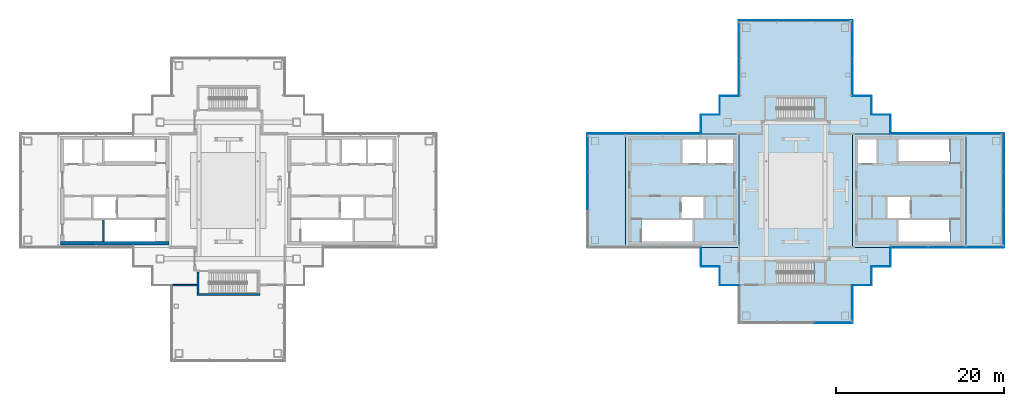
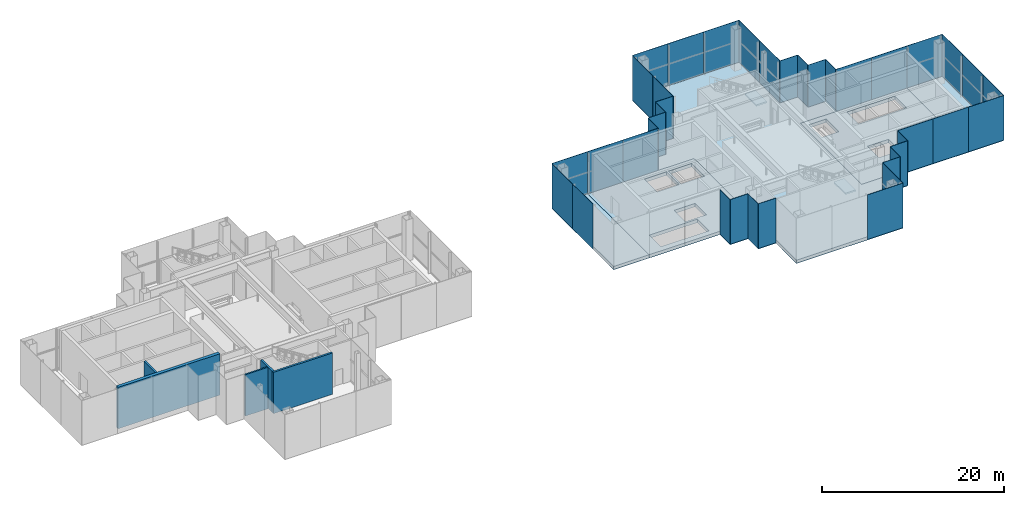
# One storey, part 8 of 17: 39 plates, 7 slabs, 5 walls, 19 elements without a shape of their own.
"""IFC4 building model written with IfcOpenShell, lengths in metres."""

from ifc_helpers import new_model, si_unit, direction, frame, frame_2d, origin, origin_2d, place, context, subcontext, project, spatial, polyline, rectangle, outline, extrude, material, layer, layer_set, type_object, element, aggregate, save


model = new_model("IFC4")

# Units and contexts
model_context = context("Model", 3, precision=1e-05, world=origin(), true_north=direction((0.0, 1.0)))
body_context = subcontext(model_context, "Body", "Model", "MODEL_VIEW")
ifc_project = project(units=[si_unit("LENGTHUNIT", "METRE"), si_unit("AREAUNIT", "SQUARE_METRE"), si_unit("VOLUMEUNIT", "CUBIC_METRE"), si_unit("PLANEANGLEUNIT", "RADIAN"), si_unit("MASSUNIT", "GRAM", prefix="KILO")], contexts=[model_context])

# Site, building, storey
site_placement = place(None, origin())
site = spatial("IfcSite", under=ifc_project, at=site_placement, CompositionType="ELEMENT")
building_placement = place(site_placement, origin())
building = spatial("IfcBuilding", under=site, at=building_placement, Name="Shamsa Quay Exchange Towers", CompositionType="ELEMENT")
storey_placement = place(building_placement, frame((0.0, 0.0, 278.300048828125)))
storey = spatial("IfcBuildingStorey", under=building, at=storey_placement, Name="L67", CompositionType="ELEMENT", Elevation=278.300048828125)

# Slabs
ifc_material_1 = material(Name="Concrete C50/60", Category="concrete")
ifc_layer_1 = layer(ifc_material_1, 0.449951171875)
ifc_layer_set_1 = layer_set([ifc_layer_1], Name="CORE FLOOR 450 C50/60")
slab_type_1 = type_object("IfcSlabType", Name="CORE FLOOR 450 C50/60", PredefinedType="FLOOR", material=ifc_layer_set_1)
slab_1_placement = place(storey_placement, frame((0.0, 0.0, -0.449951171875)))
element("IfcSlab", 1, at=slab_1_placement, inside=storey, type_object=slab_type_1, Name="Core floor T2A", PredefinedType="FLOOR", context=body_context, shape_type="SweptSolid", body=[
    extrude(outline(polyline([(13.5, -6.75), (27.0, -6.75), (27.0, 6.75), (13.5, 6.75), (13.5, -6.75)]), holes=[polyline([(15.400634765625, -6.050048828125), (15.400634765625, -3.5), (21.5, -3.5), (21.5, -6.050048828125), (15.400634765625, -6.050048828125)]), polyline([(20.300048828125, 3.25), (20.300048828125, 6.050048828125), (23.10009765625, 6.050048828125), (23.10009765625, 3.25), (20.300048828125, 3.25)]), polyline([(23.35009765625, 3.25), (23.35009765625, 6.050048828125), (26.300048828125, 6.050048828125), (26.300048828125, 3.25), (23.35009765625, 3.25)]), polyline([(20.14990234375, -3.25), (20.14990234375, -0.75), (22.800048828125, -0.75), (22.800048828125, -3.25), (20.14990234375, -3.25)])]), origin(), (0.0, 0.0, 1.0), 0.449951171875),
])
slab_2_placement = place(storey_placement, frame((0.0, 0.0, -0.449951171875)))
element("IfcSlab", 2, at=slab_2_placement, inside=storey, type_object=slab_type_1, Name="Core floor T2B", PredefinedType="FLOOR", context=body_context, shape_type="SweptSolid", body=[
    extrude(outline(polyline([(54.0, -6.75), (54.0, 6.75), (40.5, 6.75), (40.5, -6.75), (54.0, -6.75)]), holes=[polyline([(52.099365234375, -3.5), (52.099365234375, -6.050048828125), (46.0, -6.050048828125), (46.0, -3.5), (52.099365234375, -3.5)]), polyline([(52.099365234375, 6.050048828125), (52.099365234375, 3.5), (46.0, 3.5), (46.0, 6.050048828125), (52.099365234375, 6.050048828125)]), polyline([(43.35009765625, 3.25), (41.199951171875, 3.25), (41.199951171875, 6.050048828125), (43.35009765625, 6.050048828125), (43.35009765625, 3.25)]), polyline([(47.35009765625, -3.25), (44.699951171875, -3.25), (44.699951171875, -0.75), (47.35009765625, -0.75), (47.35009765625, -3.25)])]), origin(), (0.0, 0.0, 1.0), 0.449951171875),
])

# Stair, slab
ifc_material_2 = material(Name="Concrete C40/50", Category="concrete")
stair_type = type_object("IfcStairType", Name="EXIT STAIR 34 RISERS 176 MM", PredefinedType="HALF_TURN_STAIR", material=ifc_material_2)
stair_1_placement = place(storey_placement, origin())
stair_1 = element("IfcStair", 3, at=stair_1_placement, inside=storey, type_object=stair_type, Name="L67 Roof access stair RS3", PredefinedType="HALF_TURN_STAIR")
ifc_layer_2 = layer(ifc_material_2, 0.199951171875)
ifc_layer_set_2 = layer_set([ifc_layer_2], Name="CORE STAIR LANDING")
slab_type_2 = type_object("IfcSlabType", Name="CORE STAIR LANDING", PredefinedType="LANDING", material=ifc_layer_set_2)
slab_3_placement = place(storey_placement, frame((0.0, 0.0, 2.800048828125)))
slab_3 = element("IfcSlab", 4, at=slab_3_placement, type_object=slab_type_2, Name="RS3 landing 1", PredefinedType="LANDING", context=body_context, shape_type="SweptSolid", body=[
    extrude(outline(polyline([(35.929931640625, 8.5), (37.25, 8.5), (37.25, 11.050048828125), (35.929931640625, 11.050048828125), (35.929931640625, 8.5)])), origin(), (0.0, 0.0, 1.0), 0.199951171875),
])
aggregate(stair_1, [slab_3])

stair_2_placement = place(storey_placement, origin())
stair_2 = element("IfcStair", 5, at=stair_2_placement, inside=storey, type_object=stair_type, Name="L67 Roof access stair RS4", PredefinedType="HALF_TURN_STAIR")
slab_4_placement = place(storey_placement, frame((0.0, 0.0, 2.800048828125)))
slab_4 = element("IfcSlab", 6, at=slab_4_placement, type_object=slab_type_2, Name="RS4 landing 1", PredefinedType="LANDING", context=body_context, shape_type="SweptSolid", body=[
    extrude(outline(polyline([(35.929931640625, -11.050048828125), (37.25, -11.050048828125), (37.25, -8.5), (35.929931640625, -8.5), (35.929931640625, -11.050048828125)])), origin(), (0.0, 0.0, 1.0), 0.199951171875),
])
aggregate(stair_2, [slab_4])

# Curtain wall, plates
ifc_material_3 = material(Name="Aluminium EN AW-6063 T6, black anodised", Category="aluminium")
ifc_layer_3 = layer(ifc_material_3, 0.364013671875)
ifc_layer_set_3 = layer_set([ifc_layer_3], Name="CW-5 LANTERN GLAZING")
curtain_wall_type = type_object("IfcCurtainWallType", Name="CW-5 LANTERN GLAZING", PredefinedType="NOTDEFINED", material=ifc_layer_set_3)
curtain_wall_1_placement = place(storey_placement, origin())
curtain_wall_1 = element("IfcCurtainWall", 7, at=curtain_wall_1_placement, inside=storey, type_object=curtain_wall_type, Name="CW5 T2-FLK-V-W L67", PredefinedType="NOTDEFINED")
ifc_material_4 = material(Name="Glass, laminated, clear low iron", Category="glass")
ifc_layer_4 = layer(ifc_material_4, 0.0439453125)
ifc_layer_set_4 = layer_set([ifc_layer_4], Name="CW-5 LANTERN GLASS 44")
plate_type = type_object("IfcPlateType", Name="CW-5 LANTERN GLASS 44", PredefinedType="CURTAIN_PANEL", material=ifc_layer_set_4)
plate_1_placement = place(storey_placement, frame((47.281982421875, -6.77197265625, -0.35009765625)))
plate_1 = element("IfcPlate", 8, at=plate_1_placement, type_object=plate_type, Name="CW5 glass panel", PredefinedType="CURTAIN_PANEL", context=body_context, shape_type="SweptSolid", body=[
    extrude(rectangle(XDim=4.471923828125, YDim=0.0439453125, at=origin_2d()), origin(), (0.0, 0.0, 1.0), 6.0),
])
plate_2_placement = place(storey_placement, frame((51.763916015625, -6.77197265625, -0.35009765625)))
plate_2 = element("IfcPlate", 9, at=plate_2_placement, type_object=plate_type, Name="CW5 glass panel", PredefinedType="CURTAIN_PANEL", context=body_context, shape_type="SweptSolid", body=[
    extrude(rectangle(XDim=4.471923828125, YDim=0.0439453125, at=origin_2d()), origin(), (0.0, 0.0, 1.0), 6.0),
])
aggregate(curtain_wall_1, [plate_1, plate_2])

# Curtain wall, plate
curtain_wall_2_placement = place(storey_placement, origin())
curtain_wall_2 = element("IfcCurtainWall", 10, at=curtain_wall_2_placement, inside=storey, type_object=curtain_wall_type, Name="CW5 T2-FLK-V-W L67", PredefinedType="NOTDEFINED")
plate_3_placement = place(storey_placement, frame((56.25, -6.77197265625, -0.35009765625)))
plate_3 = element("IfcPlate", 11, at=plate_3_placement, type_object=plate_type, Name="CW5 glass panel", PredefinedType="CURTAIN_PANEL", context=body_context, shape_type="SweptSolid", body=[
    extrude(rectangle(XDim=4.5, YDim=0.0439453125, at=origin_2d()), origin(), (0.0, 0.0, 1.0), 6.0),
])
aggregate(curtain_wall_2, [plate_3])

# Curtain wall, plates
curtain_wall_3_placement = place(storey_placement, origin())
curtain_wall_3 = element("IfcCurtainWall", 12, at=curtain_wall_3_placement, inside=storey, type_object=curtain_wall_type, Name="CW5 T2-END-V- L67", PredefinedType="NOTDEFINED")
plate_4_placement = place(storey_placement, frame((58.52197265625, -4.50244140625, -0.35009765625), z_axis=(0.0, 0.0, 1.0), x_axis=(0.0, 1.0, 0.0)))
plate_4 = element("IfcPlate", 13, at=plate_4_placement, type_object=plate_type, Name="CW5 glass panel", PredefinedType="CURTAIN_PANEL", context=body_context, shape_type="SweptSolid", body=[
    extrude(rectangle(XDim=4.4951171875, YDim=0.0439453125, at=origin_2d()), origin(), (0.0, 0.0, 1.0), 6.0),
])
plate_5_placement = place(storey_placement, frame((58.52197265625, 0.0, -0.35009765625), z_axis=(0.0, 0.0, 1.0), x_axis=(0.0, 1.0, 0.0)))
plate_5 = element("IfcPlate", 14, at=plate_5_placement, type_object=plate_type, Name="CW5 glass panel", PredefinedType="CURTAIN_PANEL", context=body_context, shape_type="SweptSolid", body=[
    extrude(rectangle(XDim=4.489990234375, YDim=0.0439453125, at=origin_2d()), origin(), (0.0, 0.0, 1.0), 6.0),
])
plate_6_placement = place(storey_placement, frame((58.52197265625, 4.50244140625, -0.35009765625), z_axis=(0.0, 0.0, 1.0), x_axis=(0.0, 1.0, 0.0)))
plate_6 = element("IfcPlate", 15, at=plate_6_placement, type_object=plate_type, Name="CW5 glass panel", PredefinedType="CURTAIN_PANEL", context=body_context, shape_type="SweptSolid", body=[
    extrude(rectangle(XDim=4.4951171875, YDim=0.0439453125, at=origin_2d()), origin(), (0.0, 0.0, 1.0), 6.0),
])
aggregate(curtain_wall_3, [plate_4, plate_5, plate_6])

# Curtain wall, plate
curtain_wall_4_placement = place(storey_placement, origin())
curtain_wall_4 = element("IfcCurtainWall", 16, at=curtain_wall_4_placement, inside=storey, type_object=curtain_wall_type, Name="CW5 T2-FLK-V-E L67", PredefinedType="NOTDEFINED")
plate_7_placement = place(storey_placement, frame((56.25, 6.77197265625, -0.35009765625), z_axis=(0.0, 0.0, 1.0), x_axis=(-1.0, 0.0, 0.0)))
plate_7 = element("IfcPlate", 17, at=plate_7_placement, type_object=plate_type, Name="CW5 glass panel", PredefinedType="CURTAIN_PANEL", context=body_context, shape_type="SweptSolid", body=[
    extrude(rectangle(XDim=4.5, YDim=0.0439453125, at=origin_2d()), origin(), (0.0, 0.0, 1.0), 6.0),
])
aggregate(curtain_wall_4, [plate_7])

# Curtain wall, plates
curtain_wall_5_placement = place(storey_placement, origin())
curtain_wall_5 = element("IfcCurtainWall", 18, at=curtain_wall_5_placement, inside=storey, type_object=curtain_wall_type, Name="CW5 T2-FLK-V-E L67", PredefinedType="NOTDEFINED")
plate_8_placement = place(storey_placement, frame((51.75244140625, 6.77197265625, -0.35009765625), z_axis=(0.0, 0.0, 1.0), x_axis=(-1.0, 0.0, 0.0)))
plate_8 = element("IfcPlate", 19, at=plate_8_placement, type_object=plate_type, Name="CW5 glass panel", PredefinedType="CURTAIN_PANEL", context=body_context, shape_type="SweptSolid", body=[
    extrude(rectangle(XDim=4.4951171875, YDim=0.0439453125, at=origin_2d()), origin(), (0.0, 0.0, 1.0), 6.0),
])
plate_9_placement = place(storey_placement, frame((47.24755859375, 6.77197265625, -0.35009765625), z_axis=(0.0, 0.0, 1.0), x_axis=(-1.0, 0.0, 0.0)))
plate_9 = element("IfcPlate", 20, at=plate_9_placement, type_object=plate_type, Name="CW5 glass panel", PredefinedType="CURTAIN_PANEL", context=body_context, shape_type="SweptSolid", body=[
    extrude(rectangle(XDim=4.4951171875, YDim=0.0439453125, at=origin_2d()), origin(), (0.0, 0.0, 1.0), 6.0),
])
aggregate(curtain_wall_5, [plate_8, plate_9])

curtain_wall_6_placement = place(storey_placement, origin())
curtain_wall_6 = element("IfcCurtainWall", 21, at=curtain_wall_6_placement, inside=storey, type_object=curtain_wall_type, Name="CW5 T2-FLK-U+S L67", PredefinedType="NOTDEFINED")
plate_10_placement = place(storey_placement, frame((40.52197265625, 13.531982421875, -0.35009765625), z_axis=(0.0, 0.0, 1.0), x_axis=(0.0, 1.0, 0.0)))
plate_10 = element("IfcPlate", 22, at=plate_10_placement, type_object=plate_type, Name="CW5 glass panel", PredefinedType="CURTAIN_PANEL", context=body_context, shape_type="SweptSolid", body=[
    extrude(rectangle(XDim=4.471923828125, YDim=0.0439453125, at=origin_2d()), origin(), (0.0, 0.0, 1.0), 6.0),
])
plate_11_placement = place(storey_placement, frame((40.52197265625, 18.013916015625, -0.35009765625), z_axis=(0.0, 0.0, 1.0), x_axis=(0.0, 1.0, 0.0)))
plate_11 = element("IfcPlate", 23, at=plate_11_placement, type_object=plate_type, Name="CW5 glass panel", PredefinedType="CURTAIN_PANEL", context=body_context, shape_type="SweptSolid", body=[
    extrude(rectangle(XDim=4.471923828125, YDim=0.0439453125, at=origin_2d()), origin(), (0.0, 0.0, 1.0), 6.0),
])
aggregate(curtain_wall_6, [plate_10, plate_11])

curtain_wall_7_placement = place(storey_placement, origin())
curtain_wall_7 = element("IfcCurtainWall", 24, at=curtain_wall_7_placement, inside=storey, type_object=curtain_wall_type, Name="CW5 T2-END-U+ L67", PredefinedType="NOTDEFINED")
plate_12_placement = place(storey_placement, frame((38.25244140625, 20.27197265625, -0.35009765625), z_axis=(0.0, 0.0, 1.0), x_axis=(-1.0, 0.0, 0.0)))
plate_12 = element("IfcPlate", 25, at=plate_12_placement, type_object=plate_type, Name="CW5 glass panel", PredefinedType="CURTAIN_PANEL", context=body_context, shape_type="SweptSolid", body=[
    extrude(rectangle(XDim=4.4951171875, YDim=0.0439453125, at=origin_2d()), origin(), (0.0, 0.0, 1.0), 6.0),
])
plate_13_placement = place(storey_placement, frame((33.75, 20.27197265625, -0.35009765625), z_axis=(0.0, 0.0, 1.0), x_axis=(-1.0, 0.0, 0.0)))
plate_13 = element("IfcPlate", 26, at=plate_13_placement, type_object=plate_type, Name="CW5 glass panel", PredefinedType="CURTAIN_PANEL", context=body_context, shape_type="SweptSolid", body=[
    extrude(rectangle(XDim=4.489990234375, YDim=0.0439453125, at=origin_2d()), origin(), (0.0, 0.0, 1.0), 6.0),
])
plate_14_placement = place(storey_placement, frame((29.24755859375, 20.27197265625, -0.35009765625), z_axis=(0.0, 0.0, 1.0), x_axis=(-1.0, 0.0, 0.0)))
plate_14 = element("IfcPlate", 27, at=plate_14_placement, type_object=plate_type, Name="CW5 glass panel", PredefinedType="CURTAIN_PANEL", context=body_context, shape_type="SweptSolid", body=[
    extrude(rectangle(XDim=4.4951171875, YDim=0.0439453125, at=origin_2d()), origin(), (0.0, 0.0, 1.0), 6.0),
])
aggregate(curtain_wall_7, [plate_12, plate_13, plate_14])

curtain_wall_8_placement = place(storey_placement, origin())
curtain_wall_8 = element("IfcCurtainWall", 28, at=curtain_wall_8_placement, inside=storey, type_object=curtain_wall_type, Name="CW5 T2-FLK-U+N L67", PredefinedType="NOTDEFINED")
plate_15_placement = place(storey_placement, frame((26.97802734375, 18.00244140625, -0.35009765625), z_axis=(0.0, 0.0, 1.0), x_axis=(0.0, -1.0, 0.0)))
plate_15 = element("IfcPlate", 29, at=plate_15_placement, type_object=plate_type, Name="CW5 glass panel", PredefinedType="CURTAIN_PANEL", context=body_context, shape_type="SweptSolid", body=[
    extrude(rectangle(XDim=4.4951171875, YDim=0.0439453125, at=origin_2d()), origin(), (0.0, 0.0, 1.0), 6.0),
])
plate_16_placement = place(storey_placement, frame((26.97802734375, 13.49755859375, -0.35009765625), z_axis=(0.0, 0.0, 1.0), x_axis=(0.0, -1.0, 0.0)))
plate_16 = element("IfcPlate", 30, at=plate_16_placement, type_object=plate_type, Name="CW5 glass panel", PredefinedType="CURTAIN_PANEL", context=body_context, shape_type="SweptSolid", body=[
    extrude(rectangle(XDim=4.4951171875, YDim=0.0439453125, at=origin_2d()), origin(), (0.0, 0.0, 1.0), 6.0),
])
aggregate(curtain_wall_8, [plate_15, plate_16])

curtain_wall_9_placement = place(storey_placement, origin())
curtain_wall_9 = element("IfcCurtainWall", 31, at=curtain_wall_9_placement, inside=storey, type_object=curtain_wall_type, Name="CW5 T2-FLK-V+E L67", PredefinedType="NOTDEFINED")
plate_17_placement = place(storey_placement, frame((20.218017578125, 6.77197265625, -0.35009765625), z_axis=(0.0, 0.0, 1.0), x_axis=(-1.0, 0.0, 0.0)))
plate_17 = element("IfcPlate", 32, at=plate_17_placement, type_object=plate_type, Name="CW5 glass panel", PredefinedType="CURTAIN_PANEL", context=body_context, shape_type="SweptSolid", body=[
    extrude(rectangle(XDim=4.471923828125, YDim=0.0439453125, at=origin_2d()), origin(), (0.0, 0.0, 1.0), 6.0),
])
plate_18_placement = place(storey_placement, frame((15.736083984375, 6.77197265625, -0.35009765625), z_axis=(0.0, 0.0, 1.0), x_axis=(-1.0, 0.0, 0.0)))
plate_18 = element("IfcPlate", 33, at=plate_18_placement, type_object=plate_type, Name="CW5 glass panel", PredefinedType="CURTAIN_PANEL", context=body_context, shape_type="SweptSolid", body=[
    extrude(rectangle(XDim=4.471923828125, YDim=0.0439453125, at=origin_2d()), origin(), (0.0, 0.0, 1.0), 6.0),
])
aggregate(curtain_wall_9, [plate_17, plate_18])

# Curtain wall, plate
curtain_wall_10_placement = place(storey_placement, origin())
curtain_wall_10 = element("IfcCurtainWall", 34, at=curtain_wall_10_placement, inside=storey, type_object=curtain_wall_type, Name="CW5 T2-FLK-V+E L67", PredefinedType="NOTDEFINED")
plate_19_placement = place(storey_placement, frame((11.25, 6.77197265625, -0.35009765625), z_axis=(0.0, 0.0, 1.0), x_axis=(-1.0, 0.0, 0.0)))
plate_19 = element("IfcPlate", 35, at=plate_19_placement, type_object=plate_type, Name="CW5 glass panel", PredefinedType="CURTAIN_PANEL", context=body_context, shape_type="SweptSolid", body=[
    extrude(rectangle(XDim=4.5, YDim=0.0439453125, at=origin_2d()), origin(), (0.0, 0.0, 1.0), 6.0),
])
aggregate(curtain_wall_10, [plate_19])

# Curtain wall, plates
curtain_wall_11_placement = place(storey_placement, origin())
curtain_wall_11 = element("IfcCurtainWall", 36, at=curtain_wall_11_placement, inside=storey, type_object=curtain_wall_type, Name="CW5 T2-END-V+ L67", PredefinedType="NOTDEFINED")
plate_20_placement = place(storey_placement, frame((8.97802734375, 4.50244140625, -0.35009765625), z_axis=(0.0, 0.0, 1.0), x_axis=(0.0, -1.0, 0.0)))
plate_20 = element("IfcPlate", 37, at=plate_20_placement, type_object=plate_type, Name="CW5 glass panel", PredefinedType="CURTAIN_PANEL", context=body_context, shape_type="SweptSolid", body=[
    extrude(rectangle(XDim=4.4951171875, YDim=0.0439453125, at=origin_2d()), origin(), (0.0, 0.0, 1.0), 6.0),
])
plate_21_placement = place(storey_placement, frame((8.97802734375, 0.0, -0.35009765625), z_axis=(0.0, 0.0, 1.0), x_axis=(0.0, -1.0, 0.0)))
plate_21 = element("IfcPlate", 38, at=plate_21_placement, type_object=plate_type, Name="CW5 glass panel", PredefinedType="CURTAIN_PANEL", context=body_context, shape_type="SweptSolid", body=[
    extrude(rectangle(XDim=4.489990234375, YDim=0.0439453125, at=origin_2d()), origin(), (0.0, 0.0, 1.0), 6.0),
])
aggregate(curtain_wall_11, [plate_20, plate_21])

# Curtain wall, plate
curtain_wall_12_placement = place(storey_placement, origin())
curtain_wall_12 = element("IfcCurtainWall", 39, at=curtain_wall_12_placement, inside=storey, type_object=curtain_wall_type, Name="CW5 T2-END-U- L67", PredefinedType="NOTDEFINED")
plate_22_placement = place(storey_placement, frame((38.25244140625, -15.77197265625, -0.35009765625)))
plate_22 = element("IfcPlate", 40, at=plate_22_placement, type_object=plate_type, Name="CW5 glass panel", PredefinedType="CURTAIN_PANEL", context=body_context, shape_type="SweptSolid", body=[
    extrude(rectangle(XDim=4.4951171875, YDim=0.0439453125, at=origin_2d()), origin(), (0.0, 0.0, 1.0), 6.0),
])
aggregate(curtain_wall_12, [plate_22])

curtain_wall_13_placement = place(storey_placement, origin())
curtain_wall_13 = element("IfcCurtainWall", 41, at=curtain_wall_13_placement, inside=storey, type_object=curtain_wall_type, Name="CW5 T2-FLK-U-S L67", PredefinedType="NOTDEFINED")
plate_23_placement = place(storey_placement, frame((40.52197265625, -13.5, -0.35009765625), z_axis=(0.0, 0.0, 1.0), x_axis=(0.0, 1.0, 0.0)))
plate_23 = element("IfcPlate", 42, at=plate_23_placement, type_object=plate_type, Name="CW5 glass panel", PredefinedType="CURTAIN_PANEL", context=body_context, shape_type="SweptSolid", body=[
    extrude(rectangle(XDim=4.5, YDim=0.0439453125, at=origin_2d()), origin(), (0.0, 0.0, 1.0), 6.0),
])
aggregate(curtain_wall_13, [plate_23])

# Curtain wall, plates
curtain_wall_14_placement = place(storey_placement, origin())
curtain_wall_14 = element("IfcCurtainWall", 43, at=curtain_wall_14_placement, inside=storey, type_object=curtain_wall_type, Name="CW5 PKWS L67", PredefinedType="NOTDEFINED")
plate_24_placement = place(storey_placement, frame((43.89794921875, -9.02197265625, -0.35009765625)))
plate_24 = element("IfcPlate", 44, at=plate_24_placement, type_object=plate_type, Name="CW5 glass panel", PredefinedType="CURTAIN_PANEL", context=body_context, shape_type="SweptSolid", body=[
    extrude(rectangle(XDim=2.2041015625, YDim=0.0439453125, at=origin_2d()), origin(), (0.0, 0.0, 1.0), 6.0),
])
plate_25_placement = place(storey_placement, frame((45.02197265625, -7.875, -0.35009765625), z_axis=(0.0, 0.0, 1.0), x_axis=(0.0, 1.0, 0.0)))
plate_25 = element("IfcPlate", 45, at=plate_25_placement, type_object=plate_type, Name="CW5 glass panel", PredefinedType="CURTAIN_PANEL", context=body_context, shape_type="SweptSolid", body=[
    extrude(rectangle(XDim=2.25, YDim=0.0439453125, at=origin_2d()), origin(), (0.0, 0.0, 1.0), 6.0),
])
plate_26_placement = place(storey_placement, frame((41.64794921875, -11.27197265625, -0.35009765625)))
plate_26 = element("IfcPlate", 46, at=plate_26_placement, type_object=plate_type, Name="CW5 glass panel", PredefinedType="CURTAIN_PANEL", context=body_context, shape_type="SweptSolid", body=[
    extrude(rectangle(XDim=2.2041015625, YDim=0.0439453125, at=origin_2d()), origin(), (0.0, 0.0, 1.0), 6.0),
])
plate_27_placement = place(storey_placement, frame((42.77197265625, -10.125, -0.35009765625), z_axis=(0.0, 0.0, 1.0), x_axis=(0.0, 1.0, 0.0)))
plate_27 = element("IfcPlate", 47, at=plate_27_placement, type_object=plate_type, Name="CW5 glass panel", PredefinedType="CURTAIN_PANEL", context=body_context, shape_type="SweptSolid", body=[
    extrude(rectangle(XDim=2.25, YDim=0.0439453125, at=origin_2d()), origin(), (0.0, 0.0, 1.0), 6.0),
])
aggregate(curtain_wall_14, [plate_24, plate_25, plate_26, plate_27])

curtain_wall_15_placement = place(storey_placement, origin())
curtain_wall_15 = element("IfcCurtainWall", 48, at=curtain_wall_15_placement, inside=storey, type_object=curtain_wall_type, Name="CW5 PKES L67", PredefinedType="NOTDEFINED")
plate_28_placement = place(storey_placement, frame((45.02197265625, 7.89794921875, -0.35009765625), z_axis=(0.0, 0.0, 1.0), x_axis=(0.0, 1.0, 0.0)))
plate_28 = element("IfcPlate", 49, at=plate_28_placement, type_object=plate_type, Name="CW5 glass panel", PredefinedType="CURTAIN_PANEL", context=body_context, shape_type="SweptSolid", body=[
    extrude(rectangle(XDim=2.2041015625, YDim=0.0439453125, at=origin_2d()), origin(), (0.0, 0.0, 1.0), 6.0),
])
plate_29_placement = place(storey_placement, frame((43.875, 9.02197265625, -0.35009765625), z_axis=(0.0, 0.0, 1.0), x_axis=(-1.0, 0.0, 0.0)))
plate_29 = element("IfcPlate", 50, at=plate_29_placement, type_object=plate_type, Name="CW5 glass panel", PredefinedType="CURTAIN_PANEL", context=body_context, shape_type="SweptSolid", body=[
    extrude(rectangle(XDim=2.25, YDim=0.0439453125, at=origin_2d()), origin(), (0.0, 0.0, 1.0), 6.0),
])
plate_30_placement = place(storey_placement, frame((42.77197265625, 10.14794921875, -0.35009765625), z_axis=(0.0, 0.0, 1.0), x_axis=(0.0, 1.0, 0.0)))
plate_30 = element("IfcPlate", 51, at=plate_30_placement, type_object=plate_type, Name="CW5 glass panel", PredefinedType="CURTAIN_PANEL", context=body_context, shape_type="SweptSolid", body=[
    extrude(rectangle(XDim=2.2041015625, YDim=0.0439453125, at=origin_2d()), origin(), (0.0, 0.0, 1.0), 6.0),
])
plate_31_placement = place(storey_placement, frame((41.625, 11.27197265625, -0.35009765625), z_axis=(0.0, 0.0, 1.0), x_axis=(-1.0, 0.0, 0.0)))
plate_31 = element("IfcPlate", 52, at=plate_31_placement, type_object=plate_type, Name="CW5 glass panel", PredefinedType="CURTAIN_PANEL", context=body_context, shape_type="SweptSolid", body=[
    extrude(rectangle(XDim=2.25, YDim=0.0439453125, at=origin_2d()), origin(), (0.0, 0.0, 1.0), 6.0),
])
aggregate(curtain_wall_15, [plate_28, plate_29, plate_30, plate_31])

curtain_wall_16_placement = place(storey_placement, origin())
curtain_wall_16 = element("IfcCurtainWall", 53, at=curtain_wall_16_placement, inside=storey, type_object=curtain_wall_type, Name="CW5 PKEN L67", PredefinedType="NOTDEFINED")
plate_32_placement = place(storey_placement, frame((25.85205078125, 11.27197265625, -0.35009765625), z_axis=(0.0, 0.0, 1.0), x_axis=(-1.0, 0.0, 0.0)))
plate_32 = element("IfcPlate", 54, at=plate_32_placement, type_object=plate_type, Name="CW5 glass panel", PredefinedType="CURTAIN_PANEL", context=body_context, shape_type="SweptSolid", body=[
    extrude(rectangle(XDim=2.2041015625, YDim=0.0439453125, at=origin_2d()), origin(), (0.0, 0.0, 1.0), 6.0),
])
plate_33_placement = place(storey_placement, frame((24.72802734375, 10.125, -0.35009765625), z_axis=(0.0, 0.0, 1.0), x_axis=(0.0, -1.0, 0.0)))
plate_33 = element("IfcPlate", 55, at=plate_33_placement, type_object=plate_type, Name="CW5 glass panel", PredefinedType="CURTAIN_PANEL", context=body_context, shape_type="SweptSolid", body=[
    extrude(rectangle(XDim=2.25, YDim=0.0439453125, at=origin_2d()), origin(), (0.0, 0.0, 1.0), 6.0),
])
plate_34_placement = place(storey_placement, frame((23.60205078125, 9.02197265625, -0.35009765625), z_axis=(0.0, 0.0, 1.0), x_axis=(-1.0, 0.0, 0.0)))
plate_34 = element("IfcPlate", 56, at=plate_34_placement, type_object=plate_type, Name="CW5 glass panel", PredefinedType="CURTAIN_PANEL", context=body_context, shape_type="SweptSolid", body=[
    extrude(rectangle(XDim=2.2041015625, YDim=0.0439453125, at=origin_2d()), origin(), (0.0, 0.0, 1.0), 6.0),
])
plate_35_placement = place(storey_placement, frame((22.47802734375, 7.875, -0.35009765625), z_axis=(0.0, 0.0, 1.0), x_axis=(0.0, -1.0, 0.0)))
plate_35 = element("IfcPlate", 57, at=plate_35_placement, type_object=plate_type, Name="CW5 glass panel", PredefinedType="CURTAIN_PANEL", context=body_context, shape_type="SweptSolid", body=[
    extrude(rectangle(XDim=2.25, YDim=0.0439453125, at=origin_2d()), origin(), (0.0, 0.0, 1.0), 6.0),
])
aggregate(curtain_wall_16, [plate_32, plate_33, plate_34, plate_35])

curtain_wall_17_placement = place(storey_placement, origin())
curtain_wall_17 = element("IfcCurtainWall", 58, at=curtain_wall_17_placement, inside=storey, type_object=curtain_wall_type, Name="CW5 PKWN L67", PredefinedType="NOTDEFINED")
plate_36_placement = place(storey_placement, frame((22.47802734375, -7.89794921875, -0.35009765625), z_axis=(0.0, 0.0, 1.0), x_axis=(0.0, -1.0, 0.0)))
plate_36 = element("IfcPlate", 59, at=plate_36_placement, type_object=plate_type, Name="CW5 glass panel", PredefinedType="CURTAIN_PANEL", context=body_context, shape_type="SweptSolid", body=[
    extrude(rectangle(XDim=2.2041015625, YDim=0.0439453125, at=origin_2d()), origin(), (0.0, 0.0, 1.0), 6.0),
])
plate_37_placement = place(storey_placement, frame((23.625, -9.02197265625, -0.35009765625)))
plate_37 = element("IfcPlate", 60, at=plate_37_placement, type_object=plate_type, Name="CW5 glass panel", PredefinedType="CURTAIN_PANEL", context=body_context, shape_type="SweptSolid", body=[
    extrude(rectangle(XDim=2.25, YDim=0.0439453125, at=origin_2d()), origin(), (0.0, 0.0, 1.0), 6.0),
])
plate_38_placement = place(storey_placement, frame((24.72802734375, -10.14794921875, -0.35009765625), z_axis=(0.0, 0.0, 1.0), x_axis=(0.0, -1.0, 0.0)))
plate_38 = element("IfcPlate", 61, at=plate_38_placement, type_object=plate_type, Name="CW5 glass panel", PredefinedType="CURTAIN_PANEL", context=body_context, shape_type="SweptSolid", body=[
    extrude(rectangle(XDim=2.2041015625, YDim=0.0439453125, at=origin_2d()), origin(), (0.0, 0.0, 1.0), 6.0),
])
plate_39_placement = place(storey_placement, frame((25.875, -11.27197265625, -0.35009765625)))
plate_39 = element("IfcPlate", 62, at=plate_39_placement, type_object=plate_type, Name="CW5 glass panel", PredefinedType="CURTAIN_PANEL", context=body_context, shape_type="SweptSolid", body=[
    extrude(rectangle(XDim=2.25, YDim=0.0439453125, at=origin_2d()), origin(), (0.0, 0.0, 1.0), 6.0),
])
aggregate(curtain_wall_17, [plate_36, plate_37, plate_38, plate_39])

# Slabs
ifc_layer_5 = layer(ifc_material_2, 0.449951171875)
ifc_layer_set_5 = layer_set([ifc_layer_5], Name="Flat slab 450")
slab_type_3 = type_object("IfcSlabType", Name="Flat slab 450", PredefinedType="FLOOR", material=ifc_layer_set_5)
slab_5_placement = place(storey_placement, frame((0.0, 0.0, -0.449951171875)))
element("IfcSlab", 63, at=slab_5_placement, inside=storey, type_object=slab_type_3, Name="Flat slab T2 L67 4", PredefinedType="FLOOR", context=body_context, shape_type="SweptSolid", body=[
    extrude(outline(polyline([(9.0, -6.75), (13.5, -6.75), (13.5, 6.75), (9.0, 6.75), (9.0, -6.75)])), origin(), (0.0, 0.0, 1.0), 0.449951171875),
])
slab_6_placement = place(storey_placement, frame((0.0, 0.0, -0.449951171875)))
element("IfcSlab", 64, at=slab_6_placement, inside=storey, type_object=slab_type_3, Name="Flat slab T2 L67 5", PredefinedType="FLOOR", context=body_context, shape_type="SweptSolid", body=[
    extrude(outline(polyline([(45.0, -9.0), (45.0, -6.75), (40.5, -6.75), (40.5, 6.75), (45.0, 6.75), (45.0, 9.0), (42.75, 9.0), (42.75, 11.25), (40.5, 11.25), (40.5, 20.25), (27.0, 20.25), (27.0, 11.25), (24.75, 11.25), (24.75, 9.0), (22.5, 9.0), (22.5, 6.75), (27.0, 6.75), (27.0, -6.75), (22.5, -6.75), (22.5, -9.0), (24.75, -9.0), (24.75, -11.25), (27.0, -11.25), (27.0, -15.75), (40.5, -15.75), (40.5, -11.25), (42.75, -11.25), (42.75, -9.0), (45.0, -9.0)])), origin(), (0.0, 0.0, 1.0), 0.449951171875),
])
slab_7_placement = place(storey_placement, frame((0.0, 0.0, -0.449951171875)))
element("IfcSlab", 65, at=slab_7_placement, inside=storey, type_object=slab_type_3, Name="Flat slab T2 L67 6", PredefinedType="FLOOR", context=body_context, shape_type="SweptSolid", body=[
    extrude(outline(polyline([(58.5, 6.75), (54.0, 6.75), (54.0, -6.75), (58.5, -6.75), (58.5, 6.75)])), origin(), (0.0, 0.0, 1.0), 0.449951171875),
])

# Walls
ifc_material_5 = material(Name="Concrete C60/75", Category="concrete")
ifc_layer_6 = layer(ifc_material_5, 0.39990234375)
ifc_layer_set_6 = layer_set([ifc_layer_6], Name="CORE WALL 400 C60/75")
wall_type_1 = type_object("IfcWallType", Name="CORE WALL 400 C60/75", PredefinedType="SHEAR", material=ifc_layer_set_6)
wall_1_placement = place(storey_placement, frame((-40.800048828125, -6.25, 0.0), z_axis=(0.0, 0.0, 1.0), x_axis=(-1.0, 0.0, 0.0)))
element("IfcWall", 66, at=wall_1_placement, inside=storey, type_object=wall_type_1, Name="Core wall T1B-L67-PS", PredefinedType="SHEAR", context=body_context, shape_type="SweptSolid", body=[
    extrude(rectangle(XDim=12.89990234375, YDim=0.39990234375, at=frame_2d((6.449951171875, 0.0))), origin(), (0.0, 0.0, 1.0), 5.550048828125),
])
ifc_material_6 = material(Name="Gypsum board partition on metal studs")
ifc_layer_7 = layer(ifc_material_6, 0.199951171875)
ifc_layer_set_7 = layer_set([ifc_layer_7], Name="Partition 200 mm EI 120")
wall_type_2 = type_object("IfcWallType", Name="Partition 200 mm EI 120", PredefinedType="PARTITIONING", material=ifc_layer_set_7)
wall_2_placement = place(storey_placement, frame((-40.405029296875, -11.25, 0.0)))
element("IfcWall", 67, at=wall_2_placement, inside=storey, type_object=wall_type_2, Name="Partition T1-L67-W12", PredefinedType="PARTITIONING", context=body_context, shape_type="SweptSolid", body=[
    extrude(rectangle(XDim=2.905029296875, YDim=0.199951171875, at=frame_2d((1.45263671875, 0.0))), origin(), (0.0, 0.0, 1.0), 5.550048828125),
])
ifc_layer_8 = layer(ifc_material_1, 0.25)
ifc_layer_set_8 = layer_set([ifc_layer_8], Name="SHAFT WALL 250 C50/60")
wall_type_3 = type_object("IfcWallType", Name="SHAFT WALL 250 C50/60", PredefinedType="SHEAR", material=ifc_layer_set_8)
wall_3_placement = place(storey_placement, frame((-48.625, -6.050048828125, 0.0), z_axis=(0.0, 0.0, 1.0), x_axis=(0.0, 1.0, 0.0)))
element("IfcWall", 68, at=wall_3_placement, inside=storey, type_object=wall_type_3, Name="Shaft wall T1B-L67-STF", PredefinedType="SHEAR", context=body_context, shape_type="SweptSolid", body=[
    extrude(rectangle(XDim=2.550048828125, YDim=0.25, at=frame_2d((1.27490234375, 0.0))), origin(), (0.0, 0.0, 1.0), 5.550048828125),
])
wall_4_placement = place(storey_placement, frame((-37.5, -12.375, 0.0)))
element("IfcWall", 69, at=wall_4_placement, inside=storey, type_object=wall_type_3, Name="Stair enclosure wall RS2 N", PredefinedType="SHEAR", context=body_context, shape_type="SweptSolid", body=[
    extrude(rectangle(XDim=7.5, YDim=0.25, at=frame_2d((3.75, 0.0))), origin(), (0.0, 0.0, 1.0), 5.550048828125),
])
wall_5_placement = place(storey_placement, frame((-37.375, -12.25, 0.0), z_axis=(0.0, 0.0, 1.0), x_axis=(0.0, 1.0, 0.0)))
element("IfcWall", 70, at=wall_5_placement, inside=storey, type_object=wall_type_3, Name="Stair enclosure wall RS2 W", PredefinedType="SHEAR", context=body_context, shape_type="SweptSolid", body=[
    extrude(rectangle(XDim=2.550048828125, YDim=0.25, at=frame_2d((1.27490234375, 0.0))), origin(), (0.0, 0.0, 1.0), 5.550048828125),
])

save(model, "model.ifc")
